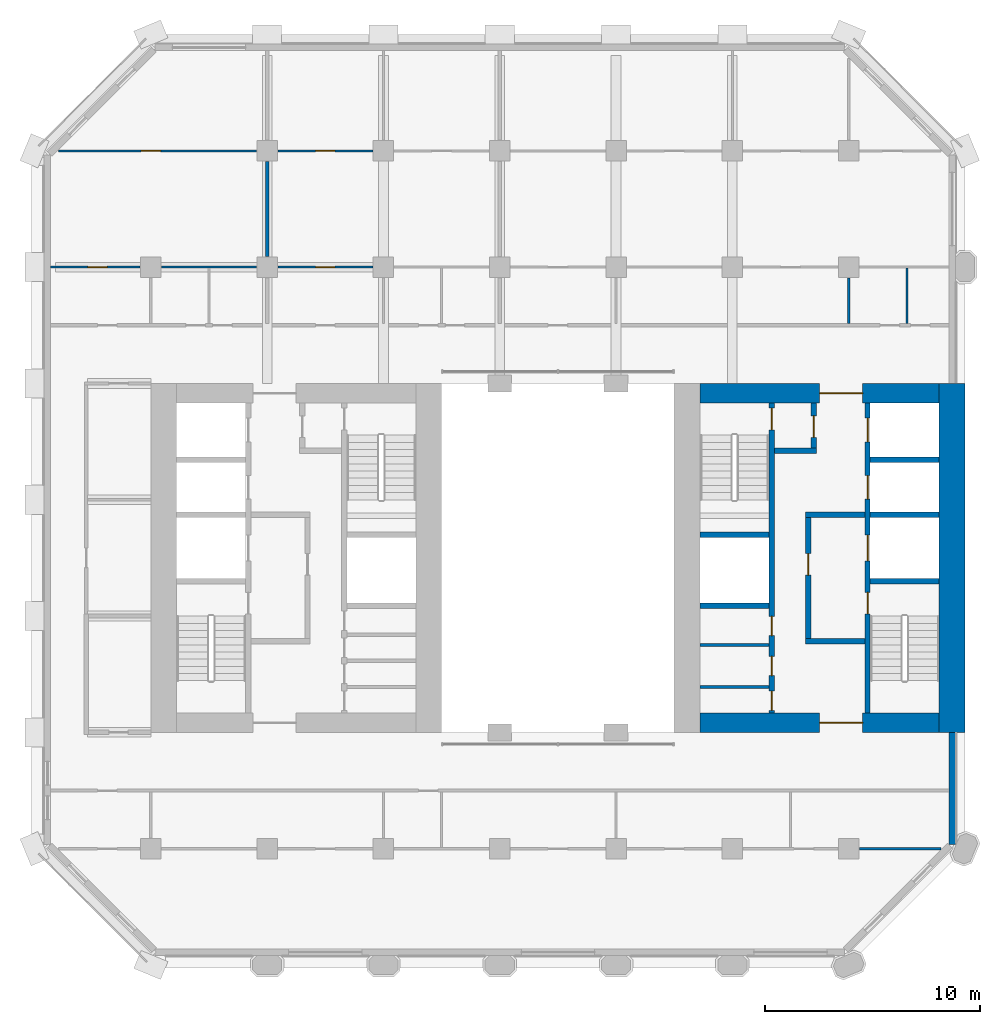
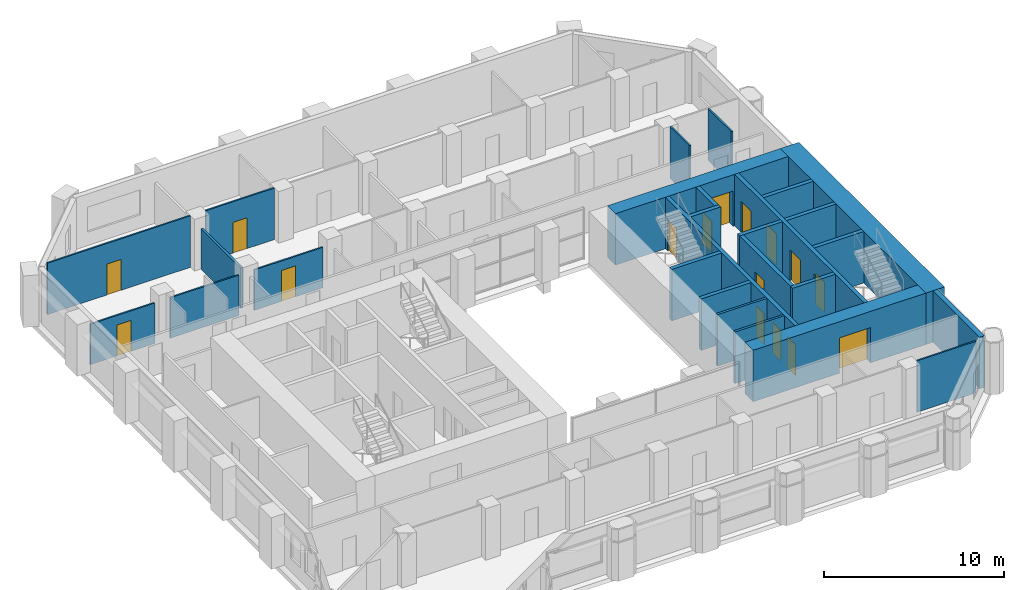
# One storey, part 8 of 12: 27 walls, 16 doors, 16 openings.
"""IFC4 building model written with IfcOpenShell, lengths in metres."""

from ifc_helpers import new_model, si_unit, direction, frame, frame_2d, origin, place, context, subcontext, project, spatial, rectangle, extrude, material, layer, layer_set, type_object, element, fill, save


model = new_model("IFC4")

# Units and contexts
model_context = context("Model", 3, precision=1e-05, world=origin(), true_north=direction((0.0, 1.0)))
body_context = subcontext(model_context, "Body", "Model", "MODEL_VIEW")
ifc_project = project(units=[si_unit("LENGTHUNIT", "METRE"), si_unit("AREAUNIT", "SQUARE_METRE"), si_unit("VOLUMEUNIT", "CUBIC_METRE"), si_unit("PLANEANGLEUNIT", "RADIAN"), si_unit("MASSUNIT", "GRAM", prefix="KILO")], contexts=[model_context])

# Site, building, storey
site_placement = place(None, origin())
site = spatial("IfcSite", under=ifc_project, at=site_placement, CompositionType="ELEMENT")
building_placement = place(site_placement, origin())
building = spatial("IfcBuilding", under=site, at=building_placement, Name="Tabaq Tower and Sports Hall", CompositionType="ELEMENT")
storey_placement = place(building_placement, frame((0.0, 0.0, 99.199951171875)))
storey = spatial("IfcBuildingStorey", under=building, at=storey_placement, Name="L23", CompositionType="ELEMENT", Elevation=99.199951171875)

# Walls
ifc_material_1 = material(Name="Blockwork", Category="masonry")
ifc_layer_1 = layer(ifc_material_1, 0.14990234375)
ifc_layer_set_1 = layer_set([ifc_layer_1], Name="Core room partition 150 Blockwork")
wall_type_1 = type_object("IfcWallType", Name="Core room partition 150 Blockwork", PredefinedType="PARTITIONING", material=ifc_layer_set_1)
for number, where, z_axis, x_axis, name in (
    (1, (30.89990234375, 18.31201171875, 0.0), (0.0, 0.0, 1.0), (1.0, 0.0, 0.0), "Core room partition E L23"),
    (2, (30.89990234375, 20.251953125, 0.0), (0.0, 0.0, 1.0), (1.0, 0.0, 0.0), "Core room partition E L23"),
):
    element("IfcWall", number, at=place(storey_placement, frame(where, z_axis=z_axis, x_axis=x_axis)), inside=storey, type_object=wall_type_1, Name=name, PredefinedType="PARTITIONING", context=body_context, shape_type="SweptSolid", body=[
        extrude(rectangle(XDim=3.2001953125, YDim=0.14990234375, at=frame_2d((1.60009765625, 0.0))), origin(), (0.0, 0.0, 1.0), 3.5),
    ])
ifc_material_2 = material(Name="Concrete C60/75", Category="concrete")
ifc_layer_2 = layer(ifc_material_2, 1.199951171875)
ifc_layer_set_2 = layer_set([ifc_layer_2], Name="Core wall 1200 Concrete C60/75")
wall_type_2 = type_object("IfcWallType", Name="Core wall 1200 Concrete C60/75", PredefinedType="SOLIDWALL", material=ifc_layer_set_2)
wall_1_placement = place(storey_placement, frame((42.60009765625, 32.39990234375, 0.0), z_axis=(0.0, 0.0, 1.0), x_axis=(0.0, -1.0, 0.0)))
element("IfcWall", 3, at=wall_1_placement, inside=storey, type_object=wall_type_2, Name="Core wall E L23", PredefinedType="SOLIDWALL", context=body_context, shape_type="SweptSolid", body=[
    extrude(rectangle(XDim=16.199951171875, YDim=1.199951171875, at=frame_2d((8.10009765625, 0.0))), origin(), (0.0, 0.0, 1.0), 3.5),
])

# Wall, opening, door
ifc_material_3 = material(Name="Concrete C60/75", Category="concrete")
ifc_layer_3 = layer(ifc_material_3, 0.89990234375)
ifc_layer_set_3 = layer_set([ifc_layer_3], Name="Core wall 900 Concrete C60/75")
wall_type_3 = type_object("IfcWallType", Name="Core wall 900 Concrete C60/75", PredefinedType="SOLIDWALL", material=ifc_layer_set_3)
wall_2_placement = place(storey_placement, frame((42.0, 16.64990234375, 0.0), z_axis=(0.0, 0.0, 1.0), x_axis=(-1.0, 0.0, 0.0)))
wall_2 = element("IfcWall", 4, at=wall_2_placement, inside=storey, type_object=wall_type_3, Name="Core wall E L23", PredefinedType="SOLIDWALL", context=body_context, shape_type="SweptSolid", body=[
    extrude(rectangle(XDim=11.10009765625, YDim=0.89990234375, at=frame_2d((5.550048828125, 0.0))), origin(), (0.0, 0.0, 1.0), 3.5),
])
opening_1_placement = place(wall_2_placement, frame((3.550048828125, 0.0, 0.0)))
opening_1 = element("IfcOpeningElement", 5, at=opening_1_placement, cuts=wall_2, Name="Opening PD-EL23-01", PredefinedType="OPENING", context=body_context, shape_type="SweptSolid", body=[
    extrude(rectangle(XDim=2.0, YDim=2.39990234375, at=frame_2d((1.0, 1.199951171875))), frame((0.0, 0.449951171875, 0.0), z_axis=(0.0, -1.0, 0.0), x_axis=(1.0, 0.0, 0.0)), (0.0, 0.0, 1.0), 0.89990234375),
])
ifc_material_4 = material(Name="Steel fire door", Category="steel")
door_type_1 = type_object("IfcDoorType", Name="Core entrance door 2000", OperationType="DOUBLE_DOOR_SINGLE_SWING", PredefinedType="DOOR", material=ifc_material_4)
door_1_placement = place(opening_1_placement, origin())
door_1 = element("IfcDoor", 6, at=door_1_placement, inside=storey, type_object=door_type_1, Name="Core entrance south E L23", OperationType="DOUBLE_DOOR_SINGLE_SWING", OverallHeight=2.39990234375, OverallWidth=2.0, PredefinedType="DOOR", context=body_context, shape_type="SweptSolid", body=[
    extrude(rectangle(XDim=2.0, YDim=2.39990234375, at=frame_2d((1.0, 1.199951171875))), frame((0.0, 0.02490234375, 0.0), z_axis=(0.0, -1.0, 0.0), x_axis=(1.0, 0.0, 0.0)), (0.0, 0.0, 1.0), 0.050048828125),
])
fill(opening_1, door_1)

wall_3_placement = place(storey_placement, frame((30.89990234375, 31.949951171875, 0.0), z_axis=(0.0, 0.0, 1.0), x_axis=(1.0, 0.0, 0.0)))
wall_3 = element("IfcWall", 7, at=wall_3_placement, inside=storey, type_object=wall_type_3, Name="Core wall E L23", PredefinedType="SOLIDWALL", context=body_context, shape_type="SweptSolid", body=[
    extrude(rectangle(XDim=11.10009765625, YDim=0.89990234375, at=frame_2d((5.550048828125, 0.0))), origin(), (0.0, 0.0, 1.0), 3.5),
])
opening_2_placement = place(wall_3_placement, frame((5.550048828125, 0.0, 0.0)))
opening_2 = element("IfcOpeningElement", 8, at=opening_2_placement, cuts=wall_3, Name="Opening PD-EL23-02", PredefinedType="OPENING", context=body_context, shape_type="SweptSolid", body=[
    extrude(rectangle(XDim=2.0, YDim=2.39990234375, at=frame_2d((1.0, 1.199951171875))), frame((0.0, 0.449951171875, 0.0), z_axis=(0.0, -1.0, 0.0), x_axis=(1.0, 0.0, 0.0)), (0.0, 0.0, 1.0), 0.89990234375),
])
door_2_placement = place(opening_2_placement, origin())
door_2 = element("IfcDoor", 9, at=door_2_placement, inside=storey, type_object=door_type_1, Name="Core entrance north E L23", OperationType="DOUBLE_DOOR_SINGLE_SWING", OverallHeight=2.39990234375, OverallWidth=2.0, PredefinedType="DOOR", context=body_context, shape_type="SweptSolid", body=[
    extrude(rectangle(XDim=2.0, YDim=2.39990234375, at=frame_2d((1.0, 1.199951171875))), frame((0.0, 0.02490234375, 0.0), z_axis=(0.0, -1.0, 0.0), x_axis=(1.0, 0.0, 0.0)), (0.0, 0.0, 1.0), 0.050048828125),
])
fill(opening_2, door_2)

ifc_material_5 = material(Name="Gypsum board on steel studs", Category="steel")
ifc_layer_4 = layer(ifc_material_5, 0.10009765625)
ifc_layer_set_4 = layer_set([ifc_layer_4], Name="Partition 100 Gypsum board")
wall_type_4 = type_object("IfcWallType", Name="Partition 100 Gypsum board", PredefinedType="PARTITIONING", material=ifc_layer_set_4)
wall_4_placement = place(storey_placement, frame((0.7509765625, 37.800048828125, 0.0), z_axis=(0.0, 0.0, 1.0), x_axis=(1.0, 0.0, 0.0)))
wall_4 = element("IfcWall", 10, at=wall_4_placement, inside=storey, type_object=wall_type_4, Name="Partition wall L23", PredefinedType="PARTITIONING", context=body_context, shape_type="SweptSolid", body=[
    extrude(rectangle(XDim=4.154052734375, YDim=0.10009765625, at=frame_2d((2.0771484375, 0.0))), origin(), (0.0, 0.0, 1.0), 2.75),
])
opening_3_placement = place(wall_4_placement, frame((1.72412109375, 0.0, 0.0)))
opening_3 = element("IfcOpeningElement", 11, at=opening_3_placement, cuts=wall_4, Name="Opening L23-026", PredefinedType="OPENING", context=body_context, shape_type="SweptSolid", body=[
    extrude(rectangle(XDim=0.89990234375, YDim=2.10009765625, at=frame_2d((0.449951171875, 1.050048828125))), frame((0.0, 0.050048828125, 0.0), z_axis=(0.0, -1.0, 0.0), x_axis=(1.0, 0.0, 0.0)), (0.0, 0.0, 1.0), 0.10009765625),
])
ifc_material_6 = material(Name="Timber leaf in steel frame", Category="steel")
door_type_2 = type_object("IfcDoorType", Name="Internal door 900 right hand", OperationType="SINGLE_SWING_RIGHT", PredefinedType="DOOR", material=ifc_material_6)
door_3_placement = place(opening_3_placement, origin())
door_3 = element("IfcDoor", 12, at=door_3_placement, inside=storey, type_object=door_type_2, Name="Internal door L23-026", OperationType="SINGLE_SWING_RIGHT", OverallHeight=2.10009765625, OverallWidth=0.89990234375, PredefinedType="DOOR", context=body_context, shape_type="SweptSolid", body=[
    extrude(rectangle(XDim=0.89990234375, YDim=2.10009765625, at=frame_2d((0.449951171875, 1.050048828125))), frame((0.0, 0.02490234375, 0.0), z_axis=(0.0, -1.0, 0.0), x_axis=(1.0, 0.0, 0.0)), (0.0, 0.0, 1.0), 0.050048828125),
])
fill(opening_3, door_3)

# Wall
wall_5_placement = place(storey_placement, frame((10.304931640625, 37.800048828125, 0.0), z_axis=(0.0, 0.0, 1.0), x_axis=(-1.0, 0.0, 0.0)))
element("IfcWall", 13, at=wall_5_placement, inside=storey, type_object=wall_type_4, Name="Partition wall L23", PredefinedType="PARTITIONING", context=body_context, shape_type="SweptSolid", body=[
    extrude(rectangle(XDim=4.409912109375, YDim=0.10009765625, at=frame_2d((2.205078125, 0.0))), origin(), (0.0, 0.0, 1.0), 2.75),
])

# Wall, opening, door
wall_6_placement = place(storey_placement, frame((10.304931640625, 43.199951171875, 0.0), z_axis=(0.0, 0.0, 1.0), x_axis=(-1.0, 0.0, 0.0)))
wall_6 = element("IfcWall", 14, at=wall_6_placement, inside=storey, type_object=wall_type_4, Name="Partition wall L23", PredefinedType="PARTITIONING", context=body_context, shape_type="SweptSolid", body=[
    extrude(rectangle(XDim=9.19287109375, YDim=0.10009765625, at=frame_2d((4.596435546875, 0.0))), origin(), (0.0, 0.0, 1.0), 3.5),
])
opening_4_placement = place(wall_6_placement, frame((4.455078125, 0.0, 0.0)))
opening_4 = element("IfcOpeningElement", 15, at=opening_4_placement, cuts=wall_6, Name="Opening L23-011", PredefinedType="OPENING", context=body_context, shape_type="SweptSolid", body=[
    extrude(rectangle(XDim=0.89990234375, YDim=2.10009765625, at=frame_2d((0.449951171875, 1.050048828125))), frame((0.0, 0.050048828125, 0.0), z_axis=(0.0, -1.0, 0.0), x_axis=(1.0, 0.0, 0.0)), (0.0, 0.0, 1.0), 0.10009765625),
])
ifc_material_7 = material(Name="Timber leaf in steel frame", Category="steel")
door_type_3 = type_object("IfcDoorType", Name="Internal door 900 left hand", OperationType="SINGLE_SWING_LEFT", PredefinedType="DOOR", material=ifc_material_7)
door_4_placement = place(opening_4_placement, origin())
door_4 = element("IfcDoor", 16, at=door_4_placement, inside=storey, type_object=door_type_3, Name="Internal door L23-011", OperationType="SINGLE_SWING_LEFT", OverallHeight=2.10009765625, OverallWidth=0.89990234375, PredefinedType="DOOR", context=body_context, shape_type="SweptSolid", body=[
    extrude(rectangle(XDim=0.89990234375, YDim=2.10009765625, at=frame_2d((0.449951171875, 1.050048828125))), frame((0.0, 0.02490234375, 0.0), z_axis=(0.0, -1.0, 0.0), x_axis=(1.0, 0.0, 0.0)), (0.0, 0.0, 1.0), 0.050048828125),
])
fill(opening_4, door_4)

wall_7_placement = place(storey_placement, frame((15.705078125, 37.800048828125, 0.0), z_axis=(0.0, 0.0, 1.0), x_axis=(-1.0, 0.0, 0.0)))
wall_7 = element("IfcWall", 17, at=wall_7_placement, inside=storey, type_object=wall_type_4, Name="Partition wall L23", PredefinedType="PARTITIONING", context=body_context, shape_type="SweptSolid", body=[
    extrude(rectangle(XDim=4.41015625, YDim=0.10009765625, at=frame_2d((2.205078125, 0.0))), origin(), (0.0, 0.0, 1.0), 2.75),
])
opening_5_placement = place(wall_7_placement, frame((1.7548828125, 0.0, 0.0)))
opening_5 = element("IfcOpeningElement", 18, at=opening_5_placement, cuts=wall_7, Name="Opening L23-027", PredefinedType="OPENING", context=body_context, shape_type="SweptSolid", body=[
    extrude(rectangle(XDim=0.89990234375, YDim=2.10009765625, at=frame_2d((0.449951171875, 1.050048828125))), frame((0.0, 0.050048828125, 0.0), z_axis=(0.0, -1.0, 0.0), x_axis=(1.0, 0.0, 0.0)), (0.0, 0.0, 1.0), 0.10009765625),
])
door_5_placement = place(opening_5_placement, origin())
door_5 = element("IfcDoor", 19, at=door_5_placement, inside=storey, type_object=door_type_3, Name="Internal door L23-027", OperationType="SINGLE_SWING_LEFT", OverallHeight=2.10009765625, OverallWidth=0.89990234375, PredefinedType="DOOR", context=body_context, shape_type="SweptSolid", body=[
    extrude(rectangle(XDim=0.89990234375, YDim=2.10009765625, at=frame_2d((0.449951171875, 1.050048828125))), frame((0.0, 0.02490234375, 0.0), z_axis=(0.0, -1.0, 0.0), x_axis=(1.0, 0.0, 0.0)), (0.0, 0.0, 1.0), 0.050048828125),
])
fill(opening_5, door_5)

wall_8_placement = place(storey_placement, frame((15.705078125, 43.199951171875, 0.0), z_axis=(0.0, 0.0, 1.0), x_axis=(-1.0, 0.0, 0.0)))
wall_8 = element("IfcWall", 20, at=wall_8_placement, inside=storey, type_object=wall_type_4, Name="Partition wall L23", PredefinedType="PARTITIONING", context=body_context, shape_type="SweptSolid", body=[
    extrude(rectangle(XDim=4.41015625, YDim=0.10009765625, at=frame_2d((2.205078125, 0.0))), origin(), (0.0, 0.0, 1.0), 3.5),
])
opening_6_placement = place(wall_8_placement, frame((1.7548828125, 0.0, 0.0)))
opening_6 = element("IfcOpeningElement", 21, at=opening_6_placement, cuts=wall_8, Name="Opening L23-012", PredefinedType="OPENING", context=body_context, shape_type="SweptSolid", body=[
    extrude(rectangle(XDim=0.89990234375, YDim=2.10009765625, at=frame_2d((0.449951171875, 1.050048828125))), frame((0.0, 0.050048828125, 0.0), z_axis=(0.0, -1.0, 0.0), x_axis=(1.0, 0.0, 0.0)), (0.0, 0.0, 1.0), 0.10009765625),
])
door_6_placement = place(opening_6_placement, origin())
door_6 = element("IfcDoor", 22, at=door_6_placement, inside=storey, type_object=door_type_2, Name="Internal door L23-012", OperationType="SINGLE_SWING_RIGHT", OverallHeight=2.10009765625, OverallWidth=0.89990234375, PredefinedType="DOOR", context=body_context, shape_type="SweptSolid", body=[
    extrude(rectangle(XDim=0.89990234375, YDim=2.10009765625, at=frame_2d((0.449951171875, 1.050048828125))), frame((0.0, 0.02490234375, 0.0), z_axis=(0.0, -1.0, 0.0), x_axis=(1.0, 0.0, 0.0)), (0.0, 0.0, 1.0), 0.050048828125),
])
fill(opening_6, door_6)

# Walls
wall_9_placement = place(storey_placement, frame((37.800048828125, 35.175048828125, 0.0), z_axis=(0.0, 0.0, 1.0), x_axis=(0.0, 1.0, 0.0)))
element("IfcWall", 23, at=wall_9_placement, inside=storey, type_object=wall_type_4, Name="Partition wall L23", PredefinedType="PARTITIONING", context=body_context, shape_type="SweptSolid", body=[
    extrude(rectangle(XDim=2.1298828125, YDim=0.10009765625, at=frame_2d((1.06494140625, 0.0))), origin(), (0.0, 0.0, 1.0), 3.5),
])
wall_10_placement = place(storey_placement, frame((40.5, 35.175048828125, 0.0), z_axis=(0.0, 0.0, 1.0), x_axis=(0.0, 1.0, 0.0)))
element("IfcWall", 24, at=wall_10_placement, inside=storey, type_object=wall_type_4, Name="Partition wall L23", PredefinedType="PARTITIONING", context=body_context, shape_type="SweptSolid", body=[
    extrude(rectangle(XDim=2.574951171875, YDim=0.10009765625, at=frame_2d((1.28759765625, 0.0))), origin(), (0.0, 0.0, 1.0), 3.5),
])
wall_11_placement = place(storey_placement, frame((38.294921875, 10.800048828125, 0.0), z_axis=(0.0, 0.0, 1.0), x_axis=(1.0, 0.0, 0.0)))
element("IfcWall", 25, at=wall_11_placement, inside=storey, type_object=wall_type_4, Name="Partition wall L23", PredefinedType="PARTITIONING", context=body_context, shape_type="SweptSolid", body=[
    extrude(rectangle(XDim=3.79296875, YDim=0.10009765625, at=frame_2d((1.896484375, 0.0))), origin(), (0.0, 0.0, 1.0), 3.5),
])
ifc_material_8 = material(Name="Blockwork", Category="masonry")
ifc_layer_5 = layer(ifc_material_8, 0.14990234375)
ifc_layer_set_5 = layer_set([ifc_layer_5], Name="Separating wall 150 Blockwork")
wall_type_5 = type_object("IfcWallType", Name="Separating wall 150 Blockwork", PredefinedType="PARTITIONING", material=ifc_layer_set_5)
wall_12_placement = place(storey_placement, frame((10.800048828125, 38.294921875, 0.0), z_axis=(0.0, 0.0, 1.0), x_axis=(0.0, 1.0, 0.0)))
element("IfcWall", 26, at=wall_12_placement, inside=storey, type_object=wall_type_5, Name="Separating wall L23", PredefinedType="PARTITIONING", context=body_context, shape_type="SweptSolid", body=[
    extrude(rectangle(XDim=4.41015625, YDim=0.14990234375, at=frame_2d((2.205078125, 0.0))), origin(), (0.0, 0.0, 1.0), 2.75),
])

# Wall, openings, doors
ifc_material_9 = material(Name="Concrete C40/50", Category="concrete")
ifc_layer_6 = layer(ifc_material_9, 0.25)
ifc_layer_set_6 = layer_set([ifc_layer_6], Name="Shaft and stair wall 250 Concrete C40/50")
wall_type_6 = type_object("IfcWallType", Name="Shaft and stair wall 250 Concrete C40/50", PredefinedType="SOLIDWALL", material=ifc_layer_set_6)
wall_13_placement = place(storey_placement, frame((38.675048828125, 17.10009765625, 0.0), z_axis=(0.0, 0.0, 1.0), x_axis=(0.0, 1.0, 0.0)))
wall_13 = element("IfcWall", 27, at=wall_13_placement, inside=storey, type_object=wall_type_6, Name="Shaft wall E L23", PredefinedType="SOLIDWALL", context=body_context, shape_type="SweptSolid", body=[
    extrude(rectangle(XDim=14.39990234375, YDim=0.25, at=frame_2d((7.199951171875, 0.0))), origin(), (0.0, 0.0, 1.0), 3.5),
])
opening_7_placement = place(wall_13_placement, frame((4.60009765625, 0.0, 0.0)))
opening_7 = element("IfcOpeningElement", 28, at=opening_7_placement, cuts=wall_13, Name="Opening SD-EL23-03", PredefinedType="OPENING", context=body_context, shape_type="SweptSolid", body=[
    extrude(rectangle(XDim=1.0, YDim=2.10009765625, at=frame_2d((0.5, 1.050048828125))), frame((0.0, 0.125, 0.0), z_axis=(0.0, -1.0, 0.0), x_axis=(1.0, 0.0, 0.0)), (0.0, 0.0, 1.0), 0.25),
])
opening_8_placement = place(wall_13_placement, frame((7.0625, 0.0, 0.0)))
opening_8 = element("IfcOpeningElement", 29, at=opening_8_placement, cuts=wall_13, Name="Opening LD-FF2-L23", PredefinedType="OPENING", context=body_context, shape_type="SweptSolid", body=[
    extrude(rectangle(XDim=1.199951171875, YDim=2.10009765625, at=frame_2d((0.60009765625, 1.050048828125))), frame((0.0, 0.125, 0.0), z_axis=(0.0, -1.0, 0.0), x_axis=(1.0, 0.0, 0.0)), (0.0, 0.0, 1.0), 0.25),
])
opening_9_placement = place(wall_13_placement, frame((9.925048828125, 0.0, 0.0)))
opening_9 = element("IfcOpeningElement", 30, at=opening_9_placement, cuts=wall_13, Name="Opening LD-LR3-L23", PredefinedType="OPENING", context=body_context, shape_type="SweptSolid", body=[
    extrude(rectangle(XDim=1.10009765625, YDim=2.10009765625, at=frame_2d((0.550048828125, 1.050048828125))), frame((0.0, 0.125, 0.0), z_axis=(0.0, -1.0, 0.0), x_axis=(1.0, 0.0, 0.0)), (0.0, 0.0, 1.0), 0.25),
])
opening_10_placement = place(wall_13_placement, frame((12.58740234375, 0.0, 0.0)))
opening_10 = element("IfcOpeningElement", 31, at=opening_10_placement, cuts=wall_13, Name="Opening LD-LR4-L23", PredefinedType="OPENING", context=body_context, shape_type="SweptSolid", body=[
    extrude(rectangle(XDim=1.10009765625, YDim=2.10009765625, at=frame_2d((0.550048828125, 1.050048828125))), frame((0.0, 0.125, 0.0), z_axis=(0.0, -1.0, 0.0), x_axis=(1.0, 0.0, 0.0)), (0.0, 0.0, 1.0), 0.25),
])
ifc_material_10 = material(Name="Stainless steel", Category="steel")
door_type_4 = type_object("IfcDoorType", Name="Lift landing door 1100", OperationType="DOUBLE_DOOR_SLIDING", PredefinedType="DOOR", material=ifc_material_10)
door_7_placement = place(opening_9_placement, origin())
door_7 = element("IfcDoor", 32, at=door_7_placement, inside=storey, type_object=door_type_4, Name="Lift landing door LR3 E L23", OperationType="DOUBLE_DOOR_SLIDING", OverallHeight=2.10009765625, OverallWidth=1.10009765625, PredefinedType="DOOR", context=body_context, shape_type="SweptSolid", body=[
    extrude(rectangle(XDim=1.10009765625, YDim=2.10009765625, at=frame_2d((0.550048828125, 1.050048828125))), frame((0.0, 0.02490234375, 0.0), z_axis=(0.0, -1.0, 0.0), x_axis=(1.0, 0.0, 0.0)), (0.0, 0.0, 1.0), 0.050048828125),
])
fill(opening_9, door_7)
door_8_placement = place(opening_10_placement, origin())
door_8 = element("IfcDoor", 33, at=door_8_placement, inside=storey, type_object=door_type_4, Name="Lift landing door LR4 E L23", OperationType="DOUBLE_DOOR_SLIDING", OverallHeight=2.10009765625, OverallWidth=1.10009765625, PredefinedType="DOOR", context=body_context, shape_type="SweptSolid", body=[
    extrude(rectangle(XDim=1.10009765625, YDim=2.10009765625, at=frame_2d((0.550048828125, 1.050048828125))), frame((0.0, 0.02490234375, 0.0), z_axis=(0.0, -1.0, 0.0), x_axis=(1.0, 0.0, 0.0)), (0.0, 0.0, 1.0), 0.050048828125),
])
fill(opening_10, door_8)
ifc_material_11 = material(Name="Stainless steel", Category="steel")
door_type_5 = type_object("IfcDoorType", Name="Lift landing door 1200", OperationType="DOUBLE_DOOR_SLIDING", PredefinedType="DOOR", material=ifc_material_11)
door_9_placement = place(opening_8_placement, origin())
door_9 = element("IfcDoor", 34, at=door_9_placement, inside=storey, type_object=door_type_5, Name="Lift landing door FF2 E L23", OperationType="DOUBLE_DOOR_SLIDING", OverallHeight=2.10009765625, OverallWidth=1.199951171875, PredefinedType="DOOR", context=body_context, shape_type="SweptSolid", body=[
    extrude(rectangle(XDim=1.199951171875, YDim=2.10009765625, at=frame_2d((0.60009765625, 1.050048828125))), frame((0.0, 0.02490234375, 0.0), z_axis=(0.0, -1.0, 0.0), x_axis=(1.0, 0.0, 0.0)), (0.0, 0.0, 1.0), 0.050048828125),
])
fill(opening_8, door_9)
ifc_material_12 = material(Name="Steel fire door", Category="steel")
door_type_6 = type_object("IfcDoorType", Name="Stair door 1000", OperationType="SINGLE_SWING_LEFT", PredefinedType="DOOR", material=ifc_material_12)
door_10_placement = place(opening_7_placement, origin())
door_10 = element("IfcDoor", 35, at=door_10_placement, inside=storey, type_object=door_type_6, Name="Stair door ST3 E L23", OperationType="SINGLE_SWING_LEFT", OverallHeight=2.10009765625, OverallWidth=1.0, PredefinedType="DOOR", context=body_context, shape_type="SweptSolid", body=[
    extrude(rectangle(XDim=1.0, YDim=2.10009765625, at=frame_2d((0.5, 1.050048828125))), frame((0.0, 0.02490234375, 0.0), z_axis=(0.0, -1.0, 0.0), x_axis=(1.0, 0.0, 0.0)), (0.0, 0.0, 1.0), 0.050048828125),
])
fill(opening_7, door_10)

wall_14_placement = place(storey_placement, frame((34.22509765625, 17.10009765625, 0.0), z_axis=(0.0, 0.0, 1.0), x_axis=(0.0, 1.0, 0.0)))
wall_14 = element("IfcWall", 36, at=wall_14_placement, inside=storey, type_object=wall_type_6, Name="Shaft wall E L23", PredefinedType="SOLIDWALL", context=body_context, shape_type="SweptSolid", body=[
    extrude(rectangle(XDim=14.39990234375, YDim=0.25, at=frame_2d((7.199951171875, 0.0))), origin(), (0.0, 0.0, 1.0), 3.5),
])
opening_11_placement = place(wall_14_placement, frame((13.14990234375, 0.0, 0.0)))
opening_11 = element("IfcOpeningElement", 37, at=opening_11_placement, cuts=wall_14, Name="Opening SD-EL23-05", PredefinedType="OPENING", context=body_context, shape_type="SweptSolid", body=[
    extrude(rectangle(XDim=1.0, YDim=2.10009765625, at=frame_2d((0.5, 1.050048828125))), frame((0.0, 0.125, 0.0), z_axis=(0.0, -1.0, 0.0), x_axis=(1.0, 0.0, 0.0)), (0.0, 0.0, 1.0), 0.25),
])
opening_12_placement = place(wall_14_placement, frame((0.118408203125, 0.0, 0.0)))
opening_12 = element("IfcOpeningElement", 38, at=opening_12_placement, cuts=wall_14, Name="Opening RD-EL23-10", PredefinedType="OPENING", context=body_context, shape_type="SweptSolid", body=[
    extrude(rectangle(XDim=0.89990234375, YDim=2.10009765625, at=frame_2d((0.449951171875, 1.050048828125))), frame((0.0, 0.125, 0.0), z_axis=(0.0, -1.0, 0.0), x_axis=(1.0, 0.0, 0.0)), (0.0, 0.0, 1.0), 0.25),
])
opening_13_placement = place(wall_14_placement, frame((1.73193359375, 0.0, 0.0)))
opening_13 = element("IfcOpeningElement", 39, at=opening_13_placement, cuts=wall_14, Name="Opening RD-EL23-11", PredefinedType="OPENING", context=body_context, shape_type="SweptSolid", body=[
    extrude(rectangle(XDim=0.89990234375, YDim=2.10009765625, at=frame_2d((0.449951171875, 1.050048828125))), frame((0.0, 0.125, 0.0), z_axis=(0.0, -1.0, 0.0), x_axis=(1.0, 0.0, 0.0)), (0.0, 0.0, 1.0), 0.25),
])
opening_14_placement = place(wall_14_placement, frame((3.58837890625, 0.0, 0.0)))
opening_14 = element("IfcOpeningElement", 40, at=opening_14_placement, cuts=wall_14, Name="Opening RD-EL23-12", PredefinedType="OPENING", context=body_context, shape_type="SweptSolid", body=[
    extrude(rectangle(XDim=0.89990234375, YDim=2.10009765625, at=frame_2d((0.449951171875, 1.050048828125))), frame((0.0, 0.125, 0.0), z_axis=(0.0, -1.0, 0.0), x_axis=(1.0, 0.0, 0.0)), (0.0, 0.0, 1.0), 0.25),
])
ifc_material_13 = material(Name="Steel fire door", Category="steel")
door_type_7 = type_object("IfcDoorType", Name="Core room door 900", OperationType="SINGLE_SWING_LEFT", PredefinedType="DOOR", material=ifc_material_13)
door_11_placement = place(opening_12_placement, origin())
door_11 = element("IfcDoor", 41, at=door_11_placement, inside=storey, type_object=door_type_7, Name="Door Electrical Riser Room E L23", OperationType="SINGLE_SWING_LEFT", OverallHeight=2.10009765625, OverallWidth=0.89990234375, PredefinedType="DOOR", context=body_context, shape_type="SweptSolid", body=[
    extrude(rectangle(XDim=0.89990234375, YDim=2.10009765625, at=frame_2d((0.449951171875, 1.050048828125))), frame((0.0, 0.02490234375, 0.0), z_axis=(0.0, -1.0, 0.0), x_axis=(1.0, 0.0, 0.0)), (0.0, 0.0, 1.0), 0.050048828125),
])
fill(opening_12, door_11)
door_12_placement = place(opening_13_placement, origin())
door_12 = element("IfcDoor", 42, at=door_12_placement, inside=storey, type_object=door_type_7, Name="Door Unisex WC E L23", OperationType="SINGLE_SWING_LEFT", OverallHeight=2.10009765625, OverallWidth=0.89990234375, PredefinedType="DOOR", context=body_context, shape_type="SweptSolid", body=[
    extrude(rectangle(XDim=0.89990234375, YDim=2.10009765625, at=frame_2d((0.449951171875, 1.050048828125))), frame((0.0, 0.02490234375, 0.0), z_axis=(0.0, -1.0, 0.0), x_axis=(1.0, 0.0, 0.0)), (0.0, 0.0, 1.0), 0.050048828125),
])
fill(opening_13, door_12)
door_13_placement = place(opening_14_placement, origin())
door_13 = element("IfcDoor", 43, at=door_13_placement, inside=storey, type_object=door_type_7, Name="Door Accessible WC E L23", OperationType="SINGLE_SWING_LEFT", OverallHeight=2.10009765625, OverallWidth=0.89990234375, PredefinedType="DOOR", context=body_context, shape_type="SweptSolid", body=[
    extrude(rectangle(XDim=0.89990234375, YDim=2.10009765625, at=frame_2d((0.449951171875, 1.050048828125))), frame((0.0, 0.02490234375, 0.0), z_axis=(0.0, -1.0, 0.0), x_axis=(1.0, 0.0, 0.0)), (0.0, 0.0, 1.0), 0.050048828125),
])
fill(opening_14, door_13)
door_14_placement = place(opening_11_placement, origin())
door_14 = element("IfcDoor", 44, at=door_14_placement, inside=storey, type_object=door_type_6, Name="Stair door ST4 E L23", OperationType="SINGLE_SWING_LEFT", OverallHeight=2.10009765625, OverallWidth=1.0, PredefinedType="DOOR", context=body_context, shape_type="SweptSolid", body=[
    extrude(rectangle(XDim=1.0, YDim=2.10009765625, at=frame_2d((0.5, 1.050048828125))), frame((0.0, 0.02490234375, 0.0), z_axis=(0.0, -1.0, 0.0), x_axis=(1.0, 0.0, 0.0)), (0.0, 0.0, 1.0), 0.050048828125),
])
fill(opening_11, door_14)

# Walls
wall_15_placement = place(storey_placement, frame((38.800048828125, 23.22509765625, 0.0), z_axis=(0.0, 0.0, 1.0), x_axis=(1.0, 0.0, 0.0)))
element("IfcWall", 45, at=wall_15_placement, inside=storey, type_object=wall_type_6, Name="Stair enclosure wall E L23", PredefinedType="SOLIDWALL", context=body_context, shape_type="SweptSolid", body=[
    extrude(rectangle(XDim=3.199951171875, YDim=0.25, at=frame_2d((1.60009765625, 0.0))), origin(), (0.0, 0.0, 1.0), 3.5),
])
for number, where, z_axis, x_axis, name in (
    (46, (30.89990234375, 25.375, 0.0), (0.0, 0.0, 1.0), (1.0, 0.0, 0.0), "Stair enclosure wall E L23"),
    (47, (30.89990234375, 22.074951171875, 0.0), (0.0, 0.0, 1.0), (1.0, 0.0, 0.0), "Shaft wall E L23"),
):
    element("IfcWall", number, at=place(storey_placement, frame(where, z_axis=z_axis, x_axis=x_axis)), inside=storey, type_object=wall_type_6, Name=name, PredefinedType="SOLIDWALL", context=body_context, shape_type="SweptSolid", body=[
        extrude(rectangle(XDim=3.2001953125, YDim=0.25, at=frame_2d((1.60009765625, 0.0))), origin(), (0.0, 0.0, 1.0), 3.5),
    ])
wall_16_placement = place(storey_placement, frame((38.800048828125, 26.300048828125, 0.0), z_axis=(0.0, 0.0, 1.0), x_axis=(1.0, 0.0, 0.0)))
element("IfcWall", 48, at=wall_16_placement, inside=storey, type_object=wall_type_6, Name="Shaft wall E L23", PredefinedType="SOLIDWALL", context=body_context, shape_type="SweptSolid", body=[
    extrude(rectangle(XDim=3.199951171875, YDim=0.25, at=frame_2d((1.60009765625, 0.0))), origin(), (0.0, 0.0, 1.0), 3.5),
])
for number, where, z_axis, x_axis, name in (
    (49, (35.800048828125, 26.300048828125, 0.0), (0.0, 0.0, 1.0), (1.0, 0.0, 0.0), "Fire-fighting lobby wall E L23"),
    (50, (35.800048828125, 20.425048828125, 0.0), (0.0, 0.0, 1.0), (1.0, 0.0, 0.0), "Fire-fighting lobby wall E L23"),
):
    element("IfcWall", number, at=place(storey_placement, frame(where, z_axis=z_axis, x_axis=x_axis)), inside=storey, type_object=wall_type_6, Name=name, PredefinedType="SOLIDWALL", context=body_context, shape_type="SweptSolid", body=[
        extrude(rectangle(XDim=2.75, YDim=0.25, at=frame_2d((1.375, 0.0))), origin(), (0.0, 0.0, 1.0), 3.5),
    ])

# Wall, opening, door
wall_17_placement = place(storey_placement, frame((36.175048828125, 29.39990234375, 0.0), z_axis=(0.0, 0.0, 1.0), x_axis=(0.0, 1.0, 0.0)))
wall_17 = element("IfcWall", 51, at=wall_17_placement, inside=storey, type_object=wall_type_6, Name="Fire-fighting lobby wall E L23", PredefinedType="SOLIDWALL", context=body_context, shape_type="SweptSolid", body=[
    extrude(rectangle(XDim=2.10009765625, YDim=0.25, at=frame_2d((1.050048828125, 0.0))), origin(), (0.0, 0.0, 1.0), 3.5),
])
opening_15_placement = place(wall_17_placement, frame((0.5, 0.0, 0.0)))
opening_15 = element("IfcOpeningElement", 52, at=opening_15_placement, cuts=wall_17, Name="Opening FD-EL23-06", PredefinedType="OPENING", context=body_context, shape_type="SweptSolid", body=[
    extrude(rectangle(XDim=1.0, YDim=2.10009765625, at=frame_2d((0.5, 1.050048828125))), frame((0.0, 0.125, 0.0), z_axis=(0.0, -1.0, 0.0), x_axis=(1.0, 0.0, 0.0)), (0.0, 0.0, 1.0), 0.25),
])
ifc_material_14 = material(Name="Steel fire door", Category="steel")
door_type_8 = type_object("IfcDoorType", Name="Fire-fighting lobby door 1000", OperationType="SINGLE_SWING_LEFT", PredefinedType="DOOR", material=ifc_material_14)
door_15_placement = place(opening_15_placement, origin())
door_15 = element("IfcDoor", 53, at=door_15_placement, inside=storey, type_object=door_type_8, Name="Stair lobby door E L23", OperationType="SINGLE_SWING_LEFT", OverallHeight=2.10009765625, OverallWidth=1.0, PredefinedType="DOOR", context=body_context, shape_type="SweptSolid", body=[
    extrude(rectangle(XDim=1.0, YDim=2.10009765625, at=frame_2d((0.5, 1.050048828125))), frame((0.0, 0.02490234375, 0.0), z_axis=(0.0, -1.0, 0.0), x_axis=(1.0, 0.0, 0.0)), (0.0, 0.0, 1.0), 0.050048828125),
])
fill(opening_15, door_15)

# Wall
wall_18_placement = place(storey_placement, frame((34.35009765625, 29.27490234375, 0.0), z_axis=(0.0, 0.0, 1.0), x_axis=(1.0, 0.0, 0.0)))
element("IfcWall", 54, at=wall_18_placement, inside=storey, type_object=wall_type_6, Name="Fire-fighting lobby wall E L23", PredefinedType="SOLIDWALL", context=body_context, shape_type="SweptSolid", body=[
    extrude(rectangle(XDim=1.949951171875, YDim=0.25, at=frame_2d((0.97509765625, 0.0))), origin(), (0.0, 0.0, 1.0), 3.5),
])

# Wall, opening, door
wall_19_placement = place(storey_placement, frame((35.925048828125, 20.550048828125, 0.0), z_axis=(0.0, 0.0, 1.0), x_axis=(0.0, 1.0, 0.0)))
wall_19 = element("IfcWall", 55, at=wall_19_placement, inside=storey, type_object=wall_type_6, Name="Fire-fighting lobby wall E L23", PredefinedType="SOLIDWALL", context=body_context, shape_type="SweptSolid", body=[
    extrude(rectangle(XDim=5.625, YDim=0.25, at=frame_2d((2.8125, 0.0))), origin(), (0.0, 0.0, 1.0), 3.5),
])
opening_16_placement = place(wall_19_placement, frame((2.949951171875, 0.0, 0.0)))
opening_16 = element("IfcOpeningElement", 56, at=opening_16_placement, cuts=wall_19, Name="Opening FD-EL23-04", PredefinedType="OPENING", context=body_context, shape_type="SweptSolid", body=[
    extrude(rectangle(XDim=1.0, YDim=2.10009765625, at=frame_2d((0.5, 1.050048828125))), frame((0.0, 0.125, 0.0), z_axis=(0.0, -1.0, 0.0), x_axis=(1.0, 0.0, 0.0)), (0.0, 0.0, 1.0), 0.25),
])
door_16_placement = place(opening_16_placement, origin())
door_16 = element("IfcDoor", 57, at=door_16_placement, inside=storey, type_object=door_type_8, Name="Fire-fighting lobby door E L23", OperationType="SINGLE_SWING_LEFT", OverallHeight=2.10009765625, OverallWidth=1.0, PredefinedType="DOOR", context=body_context, shape_type="SweptSolid", body=[
    extrude(rectangle(XDim=1.0, YDim=2.10009765625, at=frame_2d((0.5, 1.050048828125))), frame((0.0, 0.02490234375, 0.0), z_axis=(0.0, -1.0, 0.0), x_axis=(1.0, 0.0, 0.0)), (0.0, 0.0, 1.0), 0.050048828125),
])
fill(opening_16, door_16)

# Walls
wall_20_placement = place(storey_placement, frame((38.800048828125, 28.85009765625, 0.0), z_axis=(0.0, 0.0, 1.0), x_axis=(1.0, 0.0, 0.0)))
element("IfcWall", 58, at=wall_20_placement, inside=storey, type_object=wall_type_6, Name="Shaft wall E L23", PredefinedType="SOLIDWALL", context=body_context, shape_type="SweptSolid", body=[
    extrude(rectangle(XDim=3.199951171875, YDim=0.25, at=frame_2d((1.60009765625, 0.0))), origin(), (0.0, 0.0, 1.0), 3.5),
])
ifc_material_15 = material(Name="White precast concrete C60/75", Category="concrete")
ifc_layer_7 = layer(ifc_material_15, 0.300048828125)
ifc_layer_set_7 = layer_set([ifc_layer_7], Name="White precast concrete C60/75 external wall 300")
wall_type_7 = type_object("IfcWallType", Name="White precast concrete C60/75 external wall 300", PredefinedType="SOLIDWALL", material=ifc_layer_set_7)
wall_21_placement = place(storey_placement, frame((42.60009765625, 10.986328125, 0.0), z_axis=(0.0, 0.0, 1.0), x_axis=(0.0, 1.0, 0.0)))
element("IfcWall", 59, at=wall_21_placement, inside=storey, type_object=wall_type_7, Name="External Wall L23 E", PredefinedType="SOLIDWALL", context=body_context, shape_type="SweptSolid", body=[
    extrude(rectangle(XDim=5.213623046875, YDim=0.300048828125, at=frame_2d((2.60693359375, 0.0))), origin(), (0.0, 0.0, 1.0), 3.5),
])

save(model, "model.ifc")
